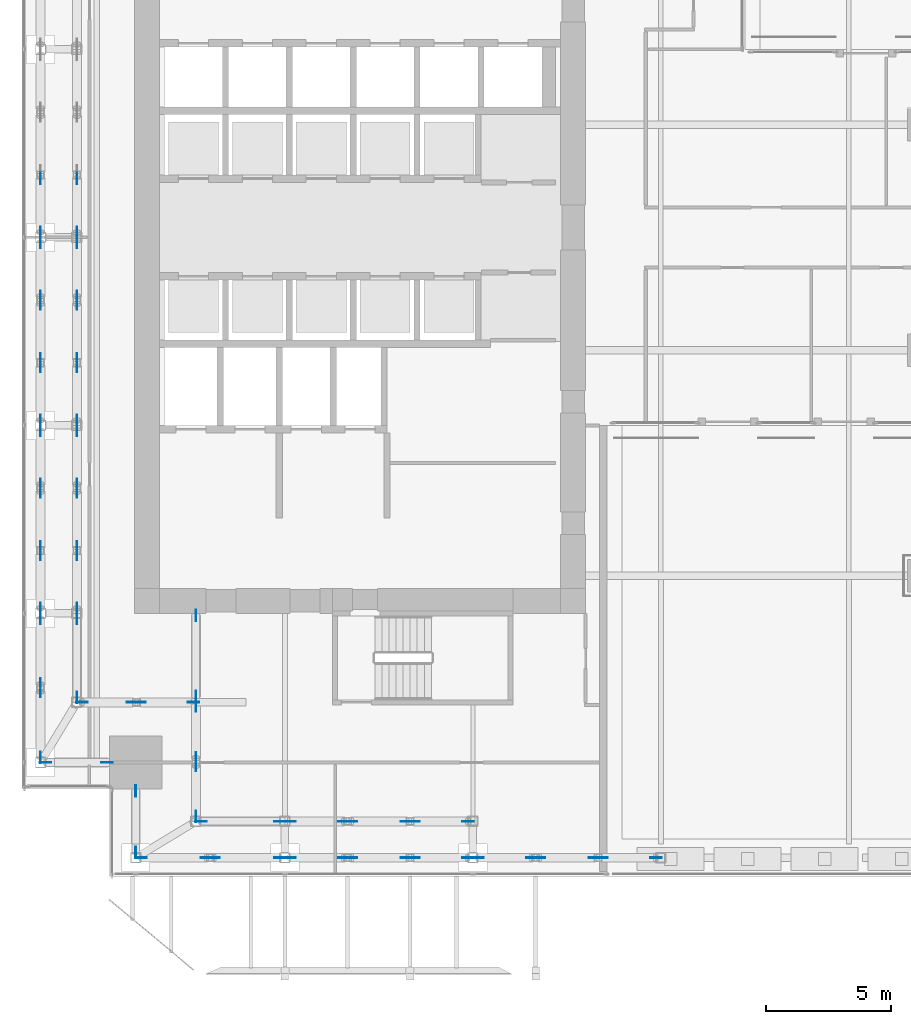
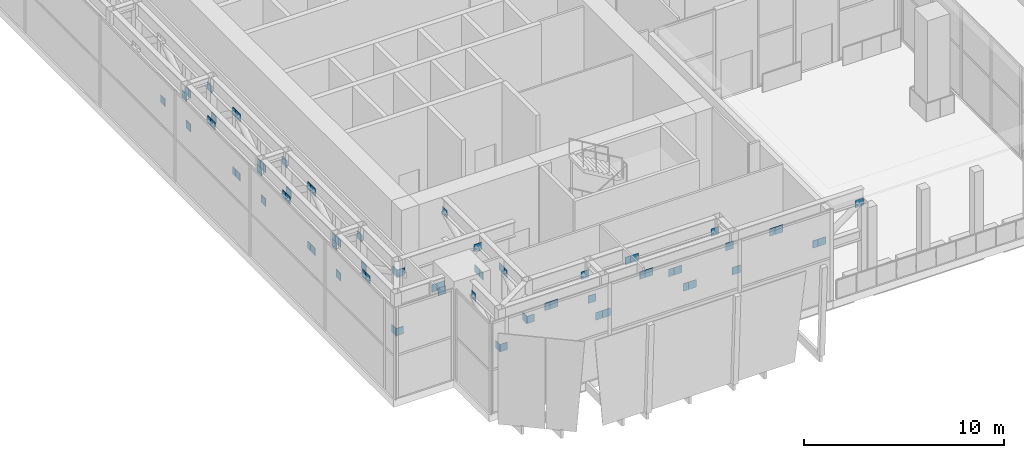
# One storey, part 40 of 47: 72 discrete accessories.
"""IFC4 building model written with IfcOpenShell, lengths in metres."""

from ifc_helpers import new_model, si_unit, direction, frame, origin, origin_2d, place, context, subcontext, project, spatial, rectangle, extrude, source, transform, mapped, material, layer, layer_set, type_object, element, save


model = new_model("IFC4")

# Units and contexts
model_context = context("Model", 3, precision=1e-05, world=origin(), true_north=direction((0.0, 1.0)))
body_context = subcontext(model_context, "Body", "Model", "MODEL_VIEW")
ifc_project = project(units=[si_unit("LENGTHUNIT", "METRE"), si_unit("AREAUNIT", "SQUARE_METRE"), si_unit("VOLUMEUNIT", "CUBIC_METRE"), si_unit("PLANEANGLEUNIT", "RADIAN"), si_unit("MASSUNIT", "GRAM", prefix="KILO")], contexts=[model_context])

# Site, building, storey
site_placement = place(None, origin())
site = spatial("IfcSite", under=ifc_project, at=site_placement, CompositionType="ELEMENT")
building_placement = place(site_placement, origin())
building = spatial("IfcBuilding", under=site, at=building_placement, Name="Khomas Fold Tower", CompositionType="ELEMENT")
storey_placement = place(building_placement, frame((0.0, 0.0, 158.699951171875)))
storey = spatial("IfcBuildingStorey", under=building, at=storey_placement, Name="L34", CompositionType="ELEMENT", Elevation=158.699951171875)

# Discrete accessories
ifc_material = material(Name="Steel S355", Category="steel")
ifc_layer = layer(ifc_material, 0.030029296875)
ifc_layer_set = layer_set([ifc_layer], Name="Steel S355")
discrete_accessory_type = type_object("IfcDiscreteAccessoryType", Name="Gusset plate 30 x 460 GP2", PredefinedType="BRACKET", material=ifc_layer_set)
shared_shape = source(origin(), body_context, "Body", "SweptSolid", [
    extrude(rectangle(XDim=0.4599609375, YDim=0.030029296875, at=origin_2d()), origin(), (0.0, 0.0, 1.0), 0.4599609375),
])
for number, where, z_axis, x_axis, name in (
    (1, (2.25, 6.25, 3.01513671875), (0.0, 0.0, 1.0), (0.0, 1.0, 0.0), "Gusset plate BT2-D"),
    (2, (2.25, 8.875, 4.625), (0.0, 0.0, 1.0), (0.0, 1.0, 0.0), "Gusset plate BT2-D"),
    (3, (2.25, 9.175048828125, 4.625), (0.0, 0.0, 1.0), (0.0, 1.0, 0.0), "Gusset plate BT2-D"),
    (4, (2.25, 11.800048828125, 3.01513671875), (0.0, 0.0, 1.0), (0.0, 1.0, 0.0), "Gusset plate BT2-D"),
    (5, (2.25, 12.199951171875, 4.625), (0.0, 0.0, 1.0), (0.0, 1.0, 0.0), "Gusset plate BT2-D"),
    (6, (2.25, 14.35009765625, 3.01513671875), (0.0, 0.0, 1.0), (0.0, 1.0, 0.0), "Gusset plate BT2-D"),
    (7, (2.25, 14.64990234375, 3.01513671875), (0.0, 0.0, 1.0), (0.0, 1.0, 0.0), "Gusset plate BT2-D"),
    (8, (2.25, 16.85009765625, 4.625), (0.0, 0.0, 1.0), (0.0, 1.0, 0.0), "Gusset plate BT2-D"),
    (9, (2.25, 17.14990234375, 4.625), (0.0, 0.0, 1.0), (0.0, 1.0, 0.0), "Gusset plate BT2-D"),
    (10, (2.25, 19.300048828125, 3.01513671875), (0.0, 0.0, 1.0), (0.0, 1.0, 0.0), "Gusset plate BT2-D"),
    (11, (2.25, 19.699951171875, 4.625), (0.0, 0.0, 1.0), (0.0, 1.0, 0.0), "Gusset plate BT2-D"),
    (12, (2.25, 21.85009765625, 3.01513671875), (0.0, 0.0, 1.0), (0.0, 1.0, 0.0), "Gusset plate BT2-D"),
    (13, (2.25, 22.14990234375, 3.01513671875), (0.0, 0.0, 1.0), (0.0, 1.0, 0.0), "Gusset plate BT2-D"),
    (14, (2.25, 24.35009765625, 4.625), (0.0, 0.0, 1.0), (0.0, 1.0, 0.0), "Gusset plate BT2-D"),
    (15, (2.25, 24.64990234375, 4.625), (0.0, 0.0, 1.0), (0.0, 1.0, 0.0), "Gusset plate BT2-D"),
    (16, (2.25, 26.800048828125, 3.01513671875), (0.0, 0.0, 1.0), (0.0, 1.0, 0.0), "Gusset plate BT2-D"),
    (17, (2.25, 27.199951171875, 4.625), (0.0, 0.0, 1.0), (0.0, 1.0, 0.0), "Gusset plate BT2-D"),
    (18, (2.25, 29.35009765625, 3.01513671875), (0.0, 0.0, 1.0), (0.0, 1.0, 0.0), "Gusset plate BT2-D"),
    (19, (2.449951171875, 6.050048828125, 3.01513671875), (0.0, 0.0, 1.0), (1.0, 0.0, 0.0), "Gusset plate BT2-D"),
    (20, (3.699951171875, 8.64990234375, 4.625), (0.0, 0.0, 1.0), (0.0, 1.0, 0.0), "Gusset plate BT2-D"),
    (21, (3.699951171875, 11.800048828125, 3.01513671875), (0.0, 0.0, 1.0), (0.0, 1.0, 0.0), "Gusset plate BT2-D"),
    (22, (3.699951171875, 12.199951171875, 4.625), (0.0, 0.0, 1.0), (0.0, 1.0, 0.0), "Gusset plate BT2-D"),
    (23, (3.699951171875, 14.35009765625, 3.01513671875), (0.0, 0.0, 1.0), (0.0, 1.0, 0.0), "Gusset plate BT2-D"),
    (24, (3.699951171875, 14.64990234375, 3.01513671875), (0.0, 0.0, 1.0), (0.0, 1.0, 0.0), "Gusset plate BT2-D"),
    (25, (3.699951171875, 16.85009765625, 4.625), (0.0, 0.0, 1.0), (0.0, 1.0, 0.0), "Gusset plate BT2-D"),
    (26, (3.699951171875, 17.14990234375, 4.625), (0.0, 0.0, 1.0), (0.0, 1.0, 0.0), "Gusset plate BT2-D"),
    (27, (3.699951171875, 19.300048828125, 3.01513671875), (0.0, 0.0, 1.0), (0.0, 1.0, 0.0), "Gusset plate BT2-D"),
    (28, (3.699951171875, 19.699951171875, 4.625), (0.0, 0.0, 1.0), (0.0, 1.0, 0.0), "Gusset plate BT2-D"),
    (29, (3.699951171875, 21.85009765625, 3.01513671875), (0.0, 0.0, 1.0), (0.0, 1.0, 0.0), "Gusset plate BT2-D"),
    (30, (3.699951171875, 22.14990234375, 3.01513671875), (0.0, 0.0, 1.0), (0.0, 1.0, 0.0), "Gusset plate BT2-D"),
    (31, (3.699951171875, 24.35009765625, 4.625), (0.0, 0.0, 1.0), (0.0, 1.0, 0.0), "Gusset plate BT2-D"),
    (32, (3.699951171875, 24.64990234375, 4.625), (0.0, 0.0, 1.0), (0.0, 1.0, 0.0), "Gusset plate BT2-D"),
    (33, (3.699951171875, 26.800048828125, 3.01513671875), (0.0, 0.0, 1.0), (0.0, 1.0, 0.0), "Gusset plate BT2-D"),
    (34, (3.699951171875, 27.199951171875, 4.625), (0.0, 0.0, 1.0), (0.0, 1.0, 0.0), "Gusset plate BT2-D"),
    (35, (3.699951171875, 29.35009765625, 3.01513671875), (0.0, 0.0, 1.0), (0.0, 1.0, 0.0), "Gusset plate BT2-D"),
    (36, (3.89990234375, 8.449951171875, 4.625), (0.0, 0.0, 1.0), (1.0, 0.0, 0.0), "Gusset plate BT2-D"),
    (37, (4.905517578125, 6.050048828125, 4.625), (0.0, 0.0, 1.0), (1.0, 0.0, 0.0), "Gusset plate BT2-D"),
    (38, (5.925048828125, 8.449951171875, 3.01513671875), (0.0, 0.0, 1.0), (1.0, 0.0, 0.0), "Gusset plate BT2-D"),
    (39, (6.050048828125, 2.449951171875, 3.01513671875), (0.0, 0.0, 1.0), (0.0, 1.0, 0.0), "Gusset plate BT2-D"),
    (40, (6.050048828125, 4.905517578125, 4.625), (0.0, 0.0, 1.0), (0.0, 1.0, 0.0), "Gusset plate BT2-D"),
    (41, (6.22509765625, 8.449951171875, 3.01513671875), (0.0, 0.0, 1.0), (1.0, 0.0, 0.0), "Gusset plate BT2-D"),
    (42, (6.25, 2.25, 3.01513671875), (0.0, 0.0, 1.0), (1.0, 0.0, 0.0), "Gusset plate BT2-D"),
    (43, (8.34619140625, 8.449951171875, 4.625), (0.0, 0.0, 1.0), (1.0, 0.0, 0.0), "Gusset plate BT2-D"),
    (44, (8.449951171875, 3.89990234375, 3.01513671875), (0.0, 0.0, 1.0), (0.0, 1.0, 0.0), "Gusset plate BT2-D"),
    (45, (8.449951171875, 5.925048828125, 4.625), (0.0, 0.0, 1.0), (0.0, 1.0, 0.0), "Gusset plate BT2-D"),
    (46, (8.449951171875, 6.22509765625, 4.625), (0.0, 0.0, 1.0), (0.0, 1.0, 0.0), "Gusset plate BT2-D"),
    (47, (8.449951171875, 8.300048828125, 3.01513671875), (0.0, 0.0, 1.0), (0.0, 1.0, 0.0), "Gusset plate BT2-D"),
    (48, (8.449951171875, 8.67578125, 3.01513671875), (0.0, 0.0, 1.0), (0.0, 1.0, 0.0), "Gusset plate BT2-D"),
    (49, (8.449951171875, 11.92431640625, 4.625), (0.0, 0.0, 1.0), (0.0, 1.0, 0.0), "Gusset plate BT2-D"),
    (50, (8.64990234375, 3.699951171875, 3.01513671875), (0.0, 0.0, 1.0), (1.0, 0.0, 0.0), "Gusset plate BT2-D"),
    (51, (8.875, 2.25, 4.625), (0.0, 0.0, 1.0), (1.0, 0.0, 0.0), "Gusset plate BT2-D"),
    (52, (9.175048828125, 2.25, 4.625), (0.0, 0.0, 1.0), (1.0, 0.0, 0.0), "Gusset plate BT2-D"),
    (53, (11.800048828125, 2.25, 3.01513671875), (0.0, 0.0, 1.0), (1.0, 0.0, 0.0), "Gusset plate BT2-D"),
    (54, (11.800048828125, 3.699951171875, 4.625), (0.0, 0.0, 1.0), (1.0, 0.0, 0.0), "Gusset plate BT2-D"),
    (55, (12.199951171875, 2.25, 3.01513671875), (0.0, 0.0, 1.0), (1.0, 0.0, 0.0), "Gusset plate BT2-D"),
    (56, (12.199951171875, 3.699951171875, 3.01513671875), (0.0, 0.0, 1.0), (1.0, 0.0, 0.0), "Gusset plate BT2-D"),
    (57, (14.35009765625, 2.25, 4.625), (0.0, 0.0, 1.0), (1.0, 0.0, 0.0), "Gusset plate BT2-D"),
    (58, (14.35009765625, 3.699951171875, 4.625), (0.0, 0.0, 1.0), (1.0, 0.0, 0.0), "Gusset plate BT2-D"),
    (59, (14.64990234375, 2.25, 4.625), (0.0, 0.0, 1.0), (1.0, 0.0, 0.0), "Gusset plate BT2-D"),
    (60, (14.64990234375, 3.699951171875, 4.625), (0.0, 0.0, 1.0), (1.0, 0.0, 0.0), "Gusset plate BT2-D"),
    (61, (16.85009765625, 2.25, 3.01513671875), (0.0, 0.0, 1.0), (1.0, 0.0, 0.0), "Gusset plate BT2-D"),
    (62, (16.85009765625, 3.699951171875, 3.01513671875), (0.0, 0.0, 1.0), (1.0, 0.0, 0.0), "Gusset plate BT2-D"),
    (63, (17.14990234375, 2.25, 3.01513671875), (0.0, 0.0, 1.0), (1.0, 0.0, 0.0), "Gusset plate BT2-D"),
    (64, (17.14990234375, 3.699951171875, 3.01513671875), (0.0, 0.0, 1.0), (1.0, 0.0, 0.0), "Gusset plate BT2-D"),
    (65, (19.300048828125, 2.25, 4.625), (0.0, 0.0, 1.0), (1.0, 0.0, 0.0), "Gusset plate BT2-D"),
    (66, (19.300048828125, 3.699951171875, 4.625), (0.0, 0.0, 1.0), (1.0, 0.0, 0.0), "Gusset plate BT2-D"),
    (67, (19.699951171875, 2.25, 3.01513671875), (0.0, 0.0, 1.0), (1.0, 0.0, 0.0), "Gusset plate BT2-D"),
    (68, (21.85009765625, 2.25, 4.625), (0.0, 0.0, 1.0), (1.0, 0.0, 0.0), "Gusset plate BT2-D"),
    (69, (22.14990234375, 2.25, 4.625), (0.0, 0.0, 1.0), (1.0, 0.0, 0.0), "Gusset plate BT2-D"),
    (70, (24.35009765625, 2.25, 3.01513671875), (0.0, 0.0, 1.0), (1.0, 0.0, 0.0), "Gusset plate BT2-D"),
    (71, (24.64990234375, 2.25, 3.01513671875), (0.0, 0.0, 1.0), (1.0, 0.0, 0.0), "Gusset plate BT2-D"),
    (72, (26.800048828125, 2.25, 4.625), (0.0, 0.0, 1.0), (1.0, 0.0, 0.0), "Gusset plate BT2-D"),
):
    element("IfcDiscreteAccessory", number, at=place(storey_placement, frame(where, z_axis=z_axis, x_axis=x_axis)), inside=storey, type_object=discrete_accessory_type, Name=name, PredefinedType="BRACKET", context=body_context, shape_type="MappedRepresentation", body=[
        mapped(shared_shape, transform((0.0, 0.0, 0.0))),
    ])

save(model, "model.ifc")
